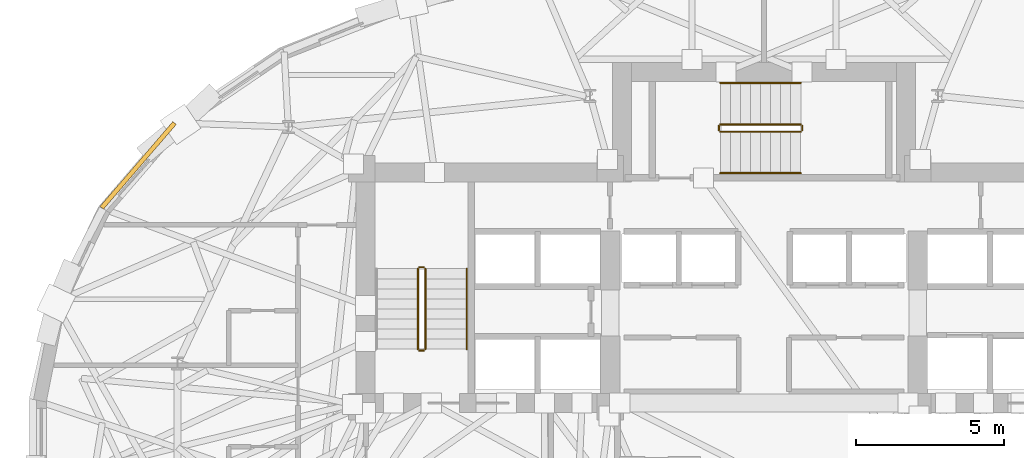
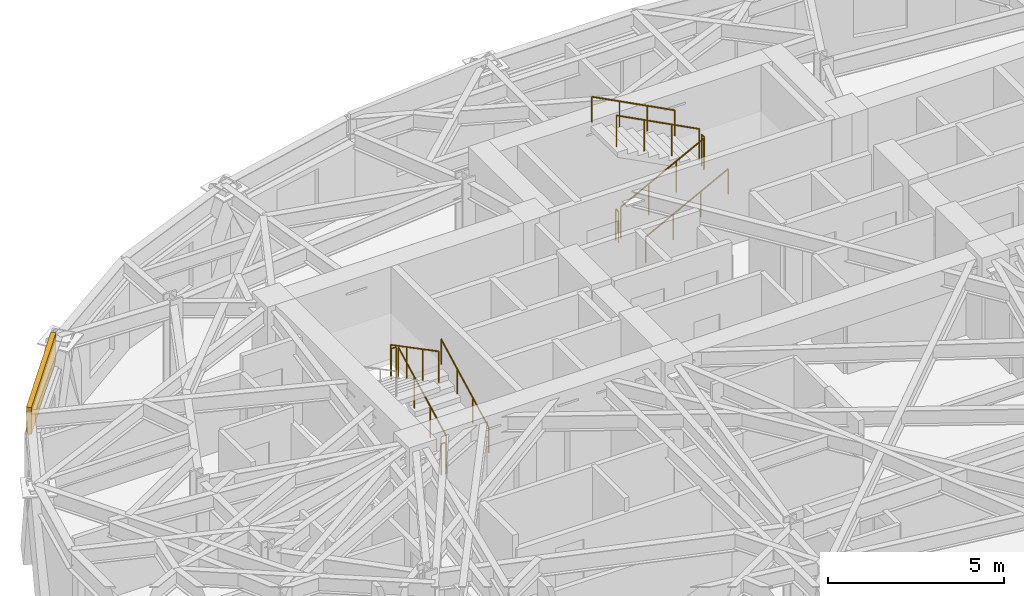
# One storey, part 12 of 14: 11 railings, 1 covering.
"""IFC4 building model written with IfcOpenShell, lengths in metres."""

from ifc_helpers import new_model, si_unit, direction, frame, origin, origin_2d, place, context, subcontext, project, spatial, rectangle, circle, extrude, material, layer, layer_set, type_object, element, save


model = new_model("IFC4")

# Units and contexts
model_context = context("Model", 3, precision=1e-05, world=origin(), true_north=direction((0.0, 1.0)))
body_context = subcontext(model_context, "Body", "Model", "MODEL_VIEW")
ifc_project = project(units=[si_unit("LENGTHUNIT", "METRE"), si_unit("AREAUNIT", "SQUARE_METRE"), si_unit("VOLUMEUNIT", "CUBIC_METRE"), si_unit("PLANEANGLEUNIT", "RADIAN"), si_unit("MASSUNIT", "GRAM", prefix="KILO")], contexts=[model_context])

# Site, building, storey
site_placement = place(None, origin())
site = spatial("IfcSite", under=ifc_project, at=site_placement, CompositionType="ELEMENT")
building_placement = place(site_placement, origin())
building = spatial("IfcBuilding", under=site, at=building_placement, Name="Keldmark Tower", CompositionType="ELEMENT")
storey_placement = place(building_placement, frame((0.0, 0.0, 153.39990234375)))
storey = spatial("IfcBuildingStorey", under=building, at=storey_placement, Name="L41", CompositionType="ELEMENT", Elevation=153.39990234375)

# Covering
ifc_material_1 = material(Name="Honed Kasota Buff Dolomitic Limestone", Category="masonry")
ifc_layer = layer(ifc_material_1, 0.074951171875)
ifc_layer_set = layer_set([ifc_layer], Name="Honed Kasota Buff Dolomitic Limestone")
covering_type = type_object("IfcCoveringType", Name="Kasota Buff Limestone Spandrel Cladding Band", PredefinedType="CLADDING", material=ifc_layer_set)
covering_placement = place(storey_placement, frame((-21.1611328125, 9.56298828125, 2.2392578125), z_axis=(0.0, 0.0, 1.0), x_axis=(-0.651754306253, -0.758430170999, 0.0)))
element("IfcCovering", 1, at=covering_placement, inside=storey, type_object=covering_type, Name="L41 Kasota Limestone Spandrel Band 13", PredefinedType="CLADDING", context=body_context, shape_type="SweptSolid", body=[
    extrude(rectangle(XDim=3.77587890625, YDim=0.14990234375, at=origin_2d()), origin(), (0.0, 0.0, 1.0), 0.94091796875),
])

# Railings
ifc_material_2 = material(Name="Painted Steel ASTM A500 Grade B", Category="steel")
railing_type_1 = type_object("IfcRailingType", Name="Painted Steel Stair Well Guard 1100 mm", PredefinedType="GUARDRAIL", material=ifc_material_2)
railing_1_placement = place(storey_placement, frame((-11.449951171875, 3.35009765625, 0.177978515625)))
element("IfcRailing", 2, at=railing_1_placement, inside=storey, type_object=railing_type_1, Name="L41 ST1 stair guard 1", PredefinedType="GUARDRAIL", context=body_context, shape_type="SweptSolid", body=[
    extrude(circle(Radius=0.02392578125, at=origin_2d()), frame((0.0, 0.0, 1.076171875), z_axis=(0.0, 0.886183135912, 0.463335137482), x_axis=(-1.0, 0.0, 0.0)), (0.0, 0.0, 1.0), 3.0693359375),
    extrude(circle(Radius=0.02099609375, at=origin_2d()), origin(), (0.0, 0.0, 1.0), 1.052001953125),
    extrude(circle(Radius=0.02099609375, at=origin_2d()), frame((0.0, 0.90673828125, 0.47412109375)), (0.0, 0.0, 1.0), 1.052001953125),
    extrude(circle(Radius=0.02099609375, at=origin_2d()), frame((0.0, 1.813232421875, 0.947998046875)), (0.0, 0.0, 1.0), 1.052001953125),
    extrude(circle(Radius=0.02099609375, at=origin_2d()), frame((0.0, 2.719970703125, 1.422119140625)), (0.0, 0.0, 1.0), 1.052001953125),
])
railing_2_placement = place(storey_placement, frame((-11.5, 6.1201171875, 1.60009765625)))
element("IfcRailing", 3, at=railing_2_placement, inside=storey, type_object=railing_type_1, Name="L41 ST1 stair guard 2", PredefinedType="GUARDRAIL", context=body_context, shape_type="SweptSolid", body=[
    extrude(circle(Radius=0.02392578125, at=origin_2d()), frame((0.0, 0.0, 1.076171875), z_axis=(-1.0, 0.0, 0.0), x_axis=(0.0, -1.0, 0.0)), (0.0, 0.0, 1.0), 0.14990234375),
    extrude(circle(Radius=0.02099609375, at=origin_2d()), origin(), (0.0, 0.0, 1.0), 1.052001953125),
    extrude(circle(Radius=0.02099609375, at=origin_2d()), frame((-0.14990234375, 0.0, 0.0)), (0.0, 0.0, 1.0), 1.052001953125),
])
railing_3_placement = place(storey_placement, frame((-11.699951171875, 6.070068359375, 1.77783203125)))
element("IfcRailing", 4, at=railing_3_placement, inside=storey, type_object=railing_type_1, Name="L41 ST1 stair guard 3", PredefinedType="GUARDRAIL", context=body_context, shape_type="SweptSolid", body=[
    extrude(circle(Radius=0.02392578125, at=origin_2d()), frame((0.0, 0.0, 1.076171875), z_axis=(0.0, -0.886150474775, 0.463397600399), x_axis=(1.0, 0.0, 0.0)), (0.0, 0.0, 1.0), 3.0693359375),
    extrude(circle(Radius=0.02099609375, at=origin_2d()), origin(), (0.0, 0.0, 1.0), 1.052001953125),
    extrude(circle(Radius=0.02099609375, at=origin_2d()), frame((0.0, -0.90673828125, 0.47412109375)), (0.0, 0.0, 1.0), 1.052001953125),
    extrude(circle(Radius=0.02099609375, at=origin_2d()), frame((0.0, -1.813232421875, 0.9482421875)), (0.0, 0.0, 1.0), 1.052001953125),
    extrude(circle(Radius=0.02099609375, at=origin_2d()), frame((0.0, -2.719970703125, 1.42236328125)), (0.0, 0.0, 1.0), 1.052001953125),
])
railing_4_placement = place(storey_placement, frame((-11.5, 3.300048828125, 0.0)))
element("IfcRailing", 5, at=railing_4_placement, inside=storey, type_object=railing_type_1, Name="L41 ST1 stair guard 4", PredefinedType="GUARDRAIL", context=body_context, shape_type="SweptSolid", body=[
    extrude(circle(Radius=0.02392578125, at=origin_2d()), frame((0.0, 0.0, 1.076171875), z_axis=(-1.0, 0.0, 0.0), x_axis=(0.0, -1.0, 0.0)), (0.0, 0.0, 1.0), 0.14990234375),
    extrude(circle(Radius=0.02099609375, at=origin_2d()), origin(), (0.0, 0.0, 1.0), 1.052001953125),
    extrude(circle(Radius=0.02099609375, at=origin_2d()), frame((-0.14990234375, 0.0, 0.0)), (0.0, 0.0, 1.0), 1.052001953125),
])
railing_5_placement = place(storey_placement, frame((-1.47509765625, 10.699951171875, 0.177978515625)))
element("IfcRailing", 6, at=railing_5_placement, inside=storey, type_object=railing_type_1, Name="L41 ST3 stair guard 1", PredefinedType="GUARDRAIL", context=body_context, shape_type="SweptSolid", body=[
    extrude(circle(Radius=0.02392578125, at=origin_2d()), frame((0.0, 0.0, 1.076171875), z_axis=(0.886200210249, 0.0, 0.463302479331), x_axis=(0.0, 1.0, 0.0)), (0.0, 0.0, 1.0), 3.069580078125),
    extrude(circle(Radius=0.02099609375, at=origin_2d()), origin(), (0.0, 0.0, 1.0), 1.052001953125),
    extrude(circle(Radius=0.02099609375, at=origin_2d()), frame((0.90673828125, 0.0, 0.47412109375)), (0.0, 0.0, 1.0), 1.052001953125),
    extrude(circle(Radius=0.02099609375, at=origin_2d()), frame((1.8134765625, 0.0, 0.947998046875)), (0.0, 0.0, 1.0), 1.052001953125),
    extrude(circle(Radius=0.02099609375, at=origin_2d()), frame((2.72021484375, 0.0, 1.422119140625)), (0.0, 0.0, 1.0), 1.052001953125),
])
railing_6_placement = place(storey_placement, frame((1.294921875, 10.75, 1.60009765625)))
element("IfcRailing", 7, at=railing_6_placement, inside=storey, type_object=railing_type_1, Name="L41 ST3 stair guard 2", PredefinedType="GUARDRAIL", context=body_context, shape_type="SweptSolid", body=[
    extrude(circle(Radius=0.02392578125, at=origin_2d()), frame((0.0, 0.0, 1.076171875), z_axis=(0.0, 1.0, 0.0), x_axis=(-1.0, 0.0, 0.0)), (0.0, 0.0, 1.0), 0.14990234375),
    extrude(circle(Radius=0.02099609375, at=origin_2d()), origin(), (0.0, 0.0, 1.0), 1.052001953125),
    extrude(circle(Radius=0.02099609375, at=origin_2d()), frame((0.0, 0.14990234375, 0.0)), (0.0, 0.0, 1.0), 1.052001953125),
])
railing_7_placement = place(storey_placement, frame((1.2451171875, 10.949951171875, 1.77783203125)))
element("IfcRailing", 8, at=railing_7_placement, inside=storey, type_object=railing_type_1, Name="L41 ST3 stair guard 3", PredefinedType="GUARDRAIL", context=body_context, shape_type="SweptSolid", body=[
    extrude(circle(Radius=0.02392578125, at=origin_2d()), frame((0.0, 0.0, 1.076171875), z_axis=(-0.886167553088, 0.0, 0.463364940252), x_axis=(0.0, -1.0, 0.0)), (0.0, 0.0, 1.0), 3.069580078125),
    extrude(circle(Radius=0.02099609375, at=origin_2d()), origin(), (0.0, 0.0, 1.0), 1.052001953125),
    extrude(circle(Radius=0.02099609375, at=origin_2d()), frame((-0.90673828125, 0.0, 0.47412109375)), (0.0, 0.0, 1.0), 1.052001953125),
    extrude(circle(Radius=0.02099609375, at=origin_2d()), frame((-1.8134765625, 0.0, 0.9482421875)), (0.0, 0.0, 1.0), 1.052001953125),
    extrude(circle(Radius=0.02099609375, at=origin_2d()), frame((-2.72021484375, 0.0, 1.42236328125)), (0.0, 0.0, 1.0), 1.052001953125),
])
railing_8_placement = place(storey_placement, frame((-1.52490234375, 10.75, 0.0)))
element("IfcRailing", 9, at=railing_8_placement, inside=storey, type_object=railing_type_1, Name="L41 ST3 stair guard 4", PredefinedType="GUARDRAIL", context=body_context, shape_type="SweptSolid", body=[
    extrude(circle(Radius=0.02392578125, at=origin_2d()), frame((0.0, 0.0, 1.076171875), z_axis=(0.0, 1.0, 0.0), x_axis=(-1.0, 0.0, 0.0)), (0.0, 0.0, 1.0), 0.14990234375),
    extrude(circle(Radius=0.02099609375, at=origin_2d()), origin(), (0.0, 0.0, 1.0), 1.052001953125),
    extrude(circle(Radius=0.02099609375, at=origin_2d()), frame((0.0, 0.14990234375, 0.0)), (0.0, 0.0, 1.0), 1.052001953125),
])
ifc_material_3 = material(Name="Stainless Steel AISI 316L", Category="steel")
railing_type_2 = type_object("IfcRailingType", Name="Stainless Steel Stair Handrail 900 mm", PredefinedType="HANDRAIL", material=ifc_material_3)
railing_9_placement = place(storey_placement, frame((-10.050048828125, 3.35009765625, 0.177978515625)))
element("IfcRailing", 10, at=railing_9_placement, inside=storey, type_object=railing_type_2, Name="L41 ST1 stair handrail 1", PredefinedType="HANDRAIL", context=body_context, shape_type="SweptSolid", body=[
    extrude(circle(Radius=0.02392578125, at=origin_2d()), frame((0.0, 0.0, 0.8759765625), z_axis=(0.0, 0.886183135912, 0.463335137482), x_axis=(-1.0, 0.0, 0.0)), (0.0, 0.0, 1.0), 3.0693359375),
    extrude(circle(Radius=0.02099609375, at=origin_2d()), origin(), (0.0, 0.0, 1.0), 0.851806640625),
    extrude(circle(Radius=0.02099609375, at=origin_2d()), frame((0.0, 0.90673828125, 0.47412109375)), (0.0, 0.0, 1.0), 0.851806640625),
    extrude(circle(Radius=0.02099609375, at=origin_2d()), frame((0.0, 1.813232421875, 0.947998046875)), (0.0, 0.0, 1.0), 0.851806640625),
    extrude(circle(Radius=0.02099609375, at=origin_2d()), frame((0.0, 2.719970703125, 1.422119140625)), (0.0, 0.0, 1.0), 0.851806640625),
])
railing_10_placement = place(storey_placement, frame((-1.47509765625, 9.300048828125, 0.177978515625)))
element("IfcRailing", 11, at=railing_10_placement, inside=storey, type_object=railing_type_2, Name="L41 ST3 stair handrail 1", PredefinedType="HANDRAIL", context=body_context, shape_type="SweptSolid", body=[
    extrude(circle(Radius=0.02392578125, at=origin_2d()), frame((0.0, 0.0, 0.8759765625), z_axis=(0.886200210249, 0.0, 0.463302479331), x_axis=(0.0, 1.0, 0.0)), (0.0, 0.0, 1.0), 3.069580078125),
    extrude(circle(Radius=0.02099609375, at=origin_2d()), origin(), (0.0, 0.0, 1.0), 0.851806640625),
    extrude(circle(Radius=0.02099609375, at=origin_2d()), frame((0.90673828125, 0.0, 0.47412109375)), (0.0, 0.0, 1.0), 0.851806640625),
    extrude(circle(Radius=0.02099609375, at=origin_2d()), frame((1.8134765625, 0.0, 0.947998046875)), (0.0, 0.0, 1.0), 0.851806640625),
    extrude(circle(Radius=0.02099609375, at=origin_2d()), frame((2.72021484375, 0.0, 1.422119140625)), (0.0, 0.0, 1.0), 0.851806640625),
])
railing_11_placement = place(storey_placement, frame((1.2451171875, 12.35009765625, 1.77783203125)))
element("IfcRailing", 12, at=railing_11_placement, inside=storey, type_object=railing_type_2, Name="L41 ST3 stair handrail 2", PredefinedType="HANDRAIL", context=body_context, shape_type="SweptSolid", body=[
    extrude(circle(Radius=0.02392578125, at=origin_2d()), frame((0.0, 0.0, 0.8759765625), z_axis=(-0.886167553088, 0.0, 0.463364940252), x_axis=(0.0, -1.0, 0.0)), (0.0, 0.0, 1.0), 3.069580078125),
    extrude(circle(Radius=0.02099609375, at=origin_2d()), origin(), (0.0, 0.0, 1.0), 0.851806640625),
    extrude(circle(Radius=0.02099609375, at=origin_2d()), frame((-0.90673828125, 0.0, 0.47412109375)), (0.0, 0.0, 1.0), 0.851806640625),
    extrude(circle(Radius=0.02099609375, at=origin_2d()), frame((-1.8134765625, 0.0, 0.9482421875)), (0.0, 0.0, 1.0), 0.851806640625),
    extrude(circle(Radius=0.02099609375, at=origin_2d()), frame((-2.72021484375, 0.0, 1.42236328125)), (0.0, 0.0, 1.0), 0.851806640625),
])

save(model, "model.ifc")
